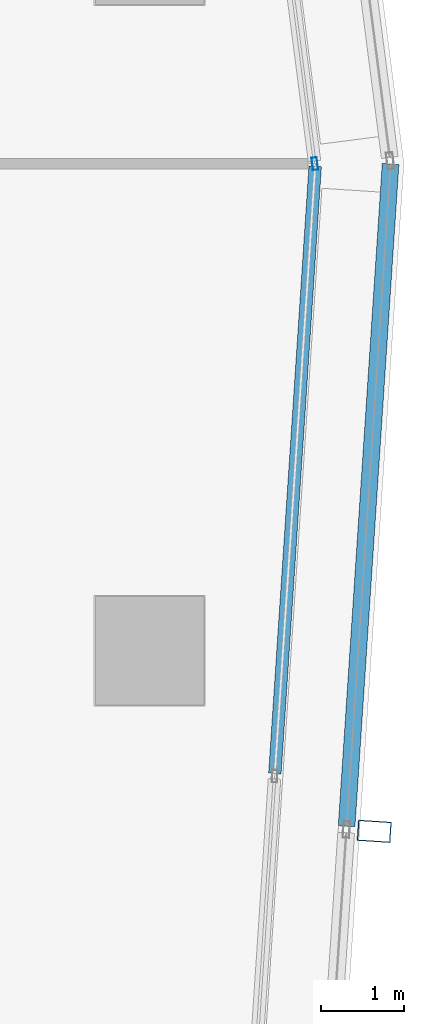
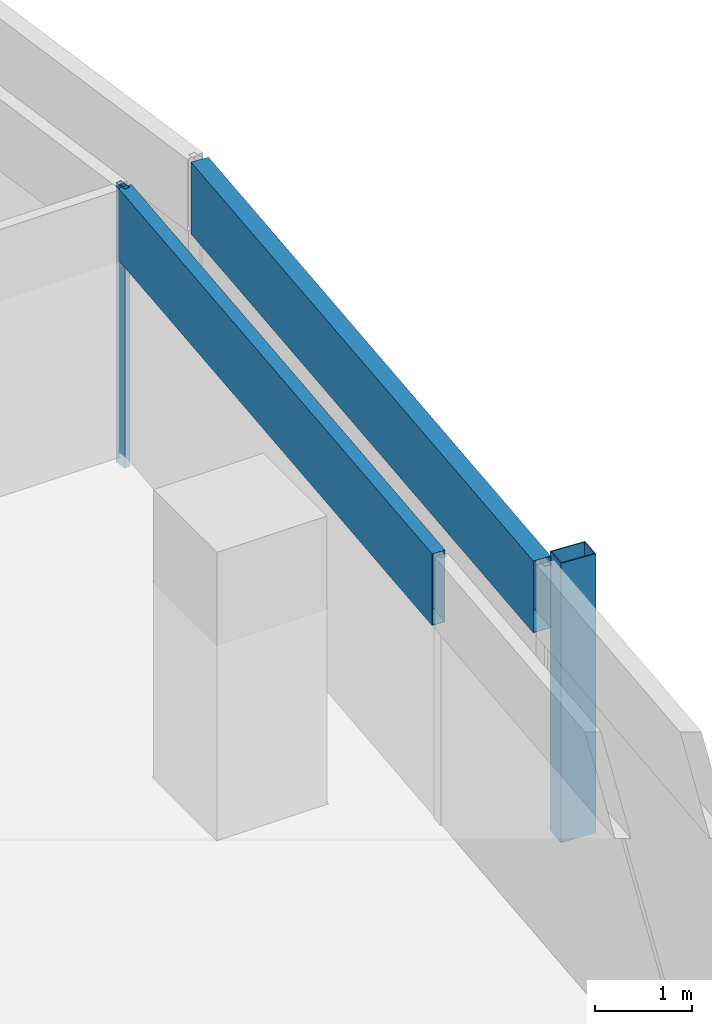
# One storey, part 13 of 29: 4 members, 3 elements without a shape of their own.
"""IFC4 building model written with IfcOpenShell, lengths in metres."""

from ifc_helpers import new_model, si_unit, direction, frame, origin, origin_2d, place, context, subcontext, project, spatial, hollow_rectangle, extrude, material, material_profile, profile_set, type_object, element, aggregate, save


model = new_model("IFC4")

# Units and contexts
model_context = context("Model", 3, precision=1e-05, world=origin(), true_north=direction((0.0, 1.0)))
body_context = subcontext(model_context, "Body", "Model", "MODEL_VIEW")
ifc_project = project(units=[si_unit("LENGTHUNIT", "METRE"), si_unit("AREAUNIT", "SQUARE_METRE"), si_unit("VOLUMEUNIT", "CUBIC_METRE"), si_unit("PLANEANGLEUNIT", "RADIAN"), si_unit("MASSUNIT", "GRAM", prefix="KILO")], contexts=[model_context])

# Site, building, storey
site_placement = place(None, origin())
site = spatial("IfcSite", under=ifc_project, at=site_placement, CompositionType="ELEMENT")
building_placement = place(site_placement, origin())
building = spatial("IfcBuilding", under=site, at=building_placement, Name="Rekha Terrace Tower", CompositionType="ELEMENT")
storey_placement = place(building_placement, frame((0.0, 0.0, 261.35009765625)))
storey = spatial("IfcBuildingStorey", under=building, at=storey_placement, Name="L66", CompositionType="ELEMENT", Elevation=261.35009765625)

# Curtain wall, member
ifc_material_1 = material(Name="Aluminium framing", Category="aluminium")
curtain_wall_type_1 = type_object("IfcCurtainWallType", Name="CW2 double skin outer glazing", PredefinedType="USERDEFINED", material=ifc_material_1)
curtain_wall_1_placement = place(storey_placement, origin())
curtain_wall_1 = element("IfcCurtainWall", 1, at=curtain_wall_1_placement, inside=storey, type_object=curtain_wall_type_1, Name="CW2 double skin outer glazing", ObjectType="DOUBLE SKIN OUTER GLAZING", PredefinedType="USERDEFINED")
ifc_material_2 = material(Name="Steel S355 with fluorocarbon finish", Category="steel")
ifc_material_profile_1 = material_profile(ifc_material_2, hollow_rectangle(XDim=0.25, YDim=0.39990234375, WallThickness=0.012451171875, at=origin_2d()), Name="RHS400x250x12.5")
ifc_profile_set_1 = profile_set([ifc_material_profile_1], Name="Steel S355 with fluorocarbon finish")
member_type_1 = type_object("IfcMemberType", Name="BL1 facade blade RHS 400 x 250", PredefinedType="USERDEFINED", material=ifc_profile_set_1)
member_1_placement = place(storey_placement, frame((61.49365234375, 31.435302734375, 0.0), z_axis=(0.0, 0.0, 1.0), x_axis=(0.066272158908, 0.99780158396, 0.0)))
member_1 = element("IfcMember", 2, at=member_1_placement, type_object=member_type_1, Name="Facade blade", ObjectType="FACADE BLADE", PredefinedType="USERDEFINED", context=body_context, shape_type="SweptSolid", body=[
    extrude(hollow_rectangle(XDim=0.25, YDim=0.39990234375, WallThickness=0.012451171875, at=origin_2d()), origin(), (0.0, 0.0, 1.0), 3.5),
])

curtain_wall_type_2 = type_object("IfcCurtainWallType", Name="CW1 double skin inner glazing", PredefinedType="USERDEFINED", material=ifc_material_1)
curtain_wall_2_placement = place(storey_placement, origin())
curtain_wall_2 = element("IfcCurtainWall", 3, at=curtain_wall_2_placement, inside=storey, type_object=curtain_wall_type_2, Name="CW1 double skin inner glazing", ObjectType="DOUBLE SKIN INNER GLAZING", PredefinedType="USERDEFINED")
ifc_material_3 = material(Name="Aluminium mullion section", Category="aluminium")
ifc_material_profile_2 = material_profile(ifc_material_3, hollow_rectangle(XDim=0.06494140625, YDim=0.14990234375, WallThickness=0.00390625, at=origin_2d()), Name="AL RHS 65x150")
ifc_profile_set_2 = profile_set([ifc_material_profile_2], Name="Aluminium mullion section")
member_type_2 = type_object("IfcMemberType", Name="CW1 mullion RHS 65 x 150", PredefinedType="MULLION", material=ifc_profile_set_2)
member_2_placement = place(storey_placement, frame((60.78125, 39.439208984375, 0.0), z_axis=(0.0, 0.0, 1.0), x_axis=(-0.991790949472, -0.127869904766, 0.0)))
member_2 = element("IfcMember", 4, at=member_2_placement, type_object=member_type_2, Name="CW1 mullion 1", PredefinedType="MULLION", context=body_context, shape_type="SweptSolid", body=[
    extrude(hollow_rectangle(XDim=0.06494140625, YDim=0.14990234375, WallThickness=0.00390625, at=origin_2d()), origin(), (0.0, 0.0, 1.0), 3.5),
])
aggregate(curtain_wall_2, [member_2])

curtain_wall_3_placement = place(storey_placement, origin())
curtain_wall_3 = element("IfcCurtainWall", 5, at=curtain_wall_3_placement, inside=storey, type_object=curtain_wall_type_2, Name="CW1 double skin inner glazing", ObjectType="DOUBLE SKIN INNER GLAZING", PredefinedType="USERDEFINED")
ifc_material_4 = material(Name="Insulated aluminium spandrel box", Category="aluminium")
ifc_material_profile_3 = material_profile(ifc_material_4, hollow_rectangle(XDim=0.14990234375, YDim=0.89990234375, WallThickness=0.0029296875, at=origin_2d()), Name="AL SPANDREL BOX 150x900")
ifc_profile_set_3 = profile_set([ifc_material_profile_3], Name="Insulated aluminium spandrel box")
member_type_3 = type_object("IfcMemberType", Name="CW1 spandrel transom 150 x 900", PredefinedType="USERDEFINED", material=ifc_profile_set_3)
member_3_placement = place(storey_placement, frame((60.302001953125, 32.129150390625, 3.0498046875), z_axis=(0.066274633038, 0.99780141963, 0.0), x_axis=(-0.99780141963, 0.066274633038, 0.0)))
member_3 = element("IfcMember", 6, at=member_3_placement, type_object=member_type_3, Name="CW1 spandrel transom 3", ObjectType="TRANSOM", PredefinedType="USERDEFINED", context=body_context, shape_type="SweptSolid", body=[
    extrude(hollow_rectangle(XDim=0.14990234375, YDim=0.89990234375, WallThickness=0.0029296875, at=origin_2d()), origin(), (0.0, 0.0, 1.0), 7.2939453125),
])
aggregate(curtain_wall_3, [member_3])

# Member
ifc_material_profile_4 = material_profile(ifc_material_4, hollow_rectangle(XDim=0.199951171875, YDim=0.89990234375, WallThickness=0.0029296875, at=origin_2d()), Name="AL SPANDREL BOX 200x900")
ifc_profile_set_4 = profile_set([ifc_material_profile_4], Name="Insulated aluminium spandrel box")
member_type_4 = type_object("IfcMemberType", Name="CW2 spandrel transom 200 x 900", PredefinedType="USERDEFINED", material=ifc_profile_set_4)
member_4_placement = place(storey_placement, frame((61.162109375, 31.497314453125, 3.0498046875), z_axis=(0.066258284658, 0.997802505366, 0.0), x_axis=(-0.997802505366, 0.066258284658, 0.0)))
member_4 = element("IfcMember", 7, at=member_4_placement, type_object=member_type_4, Name="CW2 spandrel transom 3", ObjectType="TRANSOM", PredefinedType="USERDEFINED", context=body_context, shape_type="SweptSolid", body=[
    extrude(hollow_rectangle(XDim=0.199951171875, YDim=0.89990234375, WallThickness=0.0029296875, at=origin_2d()), origin(), (0.0, 0.0, 1.0), 7.955322265625),
])

aggregate(curtain_wall_1, [member_4, member_1])

save(model, "model.ifc")
